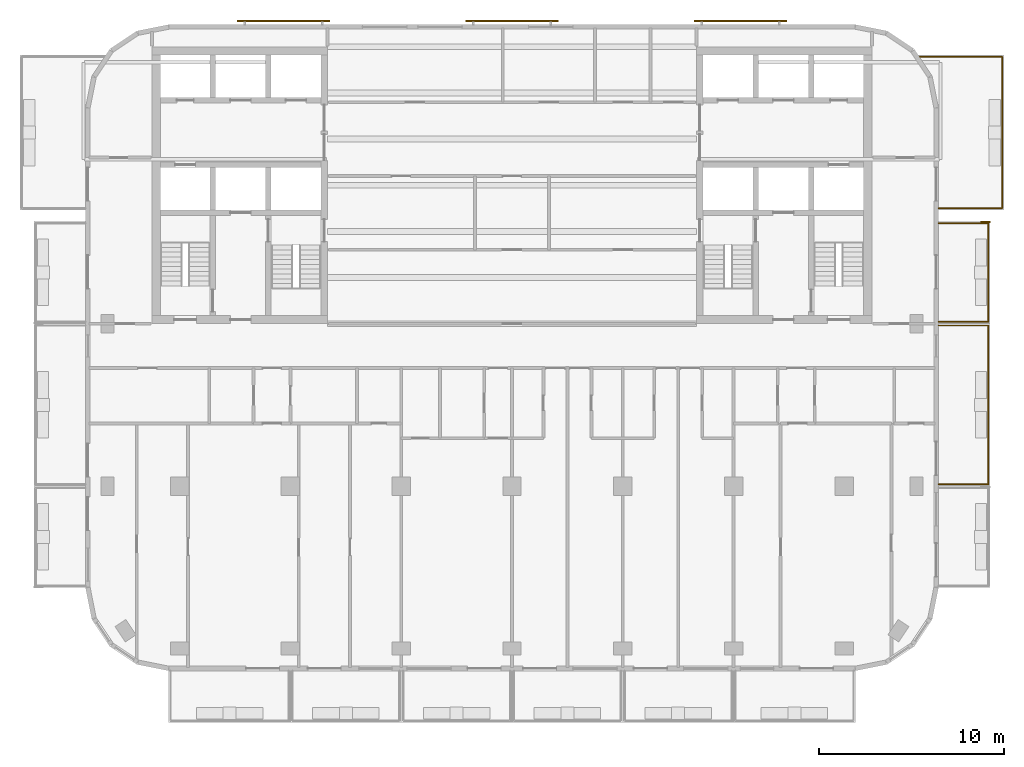
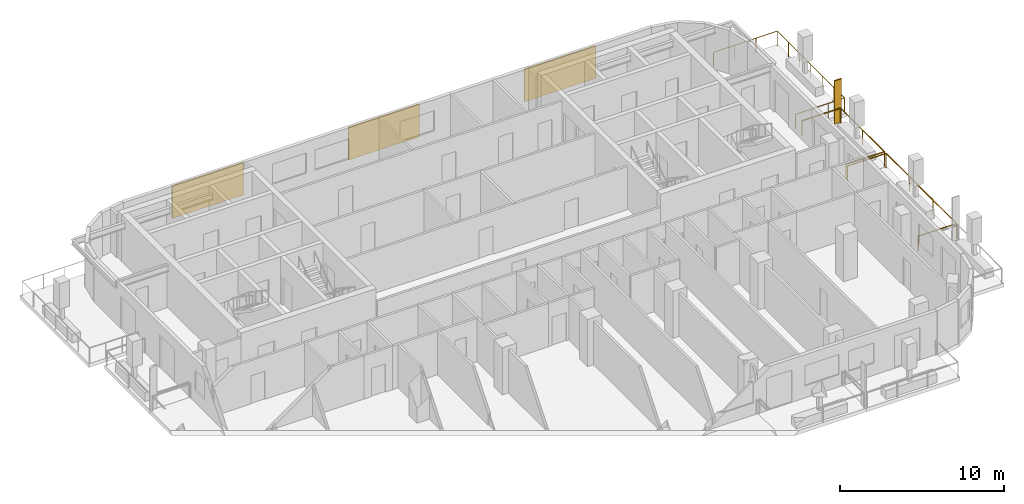
# One storey, part 10 of 11: 4 shading devices, 3 railings.
"""IFC4 building model written with IfcOpenShell, lengths in metres."""

from ifc_helpers import new_model, si_unit, direction, frame, origin, origin_2d, place, context, subcontext, project, spatial, rectangle, circle, extrude, material, layer, layer_set, type_object, element, save


model = new_model("IFC4")

# Units and contexts
model_context = context("Model", 3, precision=1e-05, world=origin(), true_north=direction((0.0, 1.0)))
body_context = subcontext(model_context, "Body", "Model", "MODEL_VIEW")
ifc_project = project(units=[si_unit("LENGTHUNIT", "METRE"), si_unit("AREAUNIT", "SQUARE_METRE"), si_unit("VOLUMEUNIT", "CUBIC_METRE"), si_unit("PLANEANGLEUNIT", "RADIAN"), si_unit("MASSUNIT", "GRAM", prefix="KILO")], contexts=[model_context])

# Site, building, storey
site_placement = place(None, origin())
site = spatial("IfcSite", under=ifc_project, at=site_placement, CompositionType="ELEMENT")
building_placement = place(site_placement, origin())
building = spatial("IfcBuilding", under=site, at=building_placement, Name="Torana Hotel and Residences", CompositionType="ELEMENT")
storey_placement = place(building_placement, frame((0.0, 0.0, 280.60009765625)))
storey = spatial("IfcBuildingStorey", under=building, at=storey_placement, Name="L74", CompositionType="ELEMENT", Elevation=280.60009765625)

# Shading device
ifc_material_1 = material(Name="Black powder coated aluminium", Category="aluminium")
ifc_layer_1 = layer(ifc_material_1, 0.080078125)
ifc_layer_set_1 = layer_set([ifc_layer_1], Name="FN1 VERTICAL FIN 500x80")
shading_device_type_1 = type_object("IfcShadingDeviceType", Name="FN1 VERTICAL FIN 500x80", PredefinedType="USERDEFINED", material=ifc_layer_set_1)
shading_device_placement = place(storey_placement, frame((25.64990234375, -9.489990234375, 0.0), z_axis=(0.0, 0.0, 1.0), x_axis=(0.0, -1.0, 0.0)))
element("IfcShadingDevice", 1, at=shading_device_placement, inside=storey, type_object=shading_device_type_1, Name="Fin 13", ObjectType="FIN", PredefinedType="USERDEFINED", context=body_context, shape_type="SweptSolid", body=[
    extrude(rectangle(XDim=0.080078125, YDim=0.5, at=origin_2d()), origin(), (0.0, 0.0, 1.0), 3.219970703125),
])

# Railings
ifc_material_2 = material(Name="Laminated glass balustrade with black handrail", Category="glass")
railing_type = type_object("IfcRailingType", Name="GR1 BALCONY GUARD 1100 GLASS", PredefinedType="GUARDRAIL", material=ifc_material_2)
railing_1_placement = place(storey_placement, frame((23.10009765625, -15.10009765625, 0.0)))
element("IfcRailing", 2, at=railing_1_placement, inside=storey, type_object=railing_type, Name="Balcony guard 12", PredefinedType="GUARDRAIL", context=body_context, shape_type="SweptSolid", body=[
    extrude(circle(Radius=0.02392578125, at=origin_2d()), frame((0.0, 0.0, 1.076171875), z_axis=(1.0, 0.0, 0.0), x_axis=(0.0, 1.0, 0.0)), (0.0, 0.0, 1.0), 2.699951171875),
    extrude(circle(Radius=0.02392578125, at=origin_2d()), frame((2.699951171875, 0.0, 1.076171875), z_axis=(0.0, -1.0, 0.0), x_axis=(1.0, 0.0, 0.0)), (0.0, 0.0, 1.0), 8.599853515625),
    extrude(circle(Radius=0.02392578125, at=origin_2d()), frame((2.699951171875, -8.599853515625, 1.076171875), z_axis=(-1.0, 0.0, 0.0), x_axis=(0.0, -1.0, 0.0)), (0.0, 0.0, 1.0), 2.699951171875),
    extrude(circle(Radius=0.02099609375, at=origin_2d()), origin(), (0.0, 0.0, 1.0), 1.052001953125),
    extrude(circle(Radius=0.02099609375, at=origin_2d()), frame((2.699951171875, 0.0, 0.0)), (0.0, 0.0, 1.0), 1.052001953125),
    extrude(circle(Radius=0.02099609375, at=origin_2d()), frame((2.699951171875, -2.86669921875, 0.0)), (0.0, 0.0, 1.0), 1.052001953125),
    extrude(circle(Radius=0.02099609375, at=origin_2d()), frame((2.699951171875, -5.733154296875, 0.0)), (0.0, 0.0, 1.0), 1.052001953125),
    extrude(circle(Radius=0.02099609375, at=origin_2d()), frame((2.699951171875, -8.599853515625, 0.0)), (0.0, 0.0, 1.0), 1.052001953125),
    extrude(circle(Radius=0.02099609375, at=origin_2d()), frame((0.0, -8.599853515625, 0.0)), (0.0, 0.0, 1.0), 1.052001953125),
])
railing_2_placement = place(storey_placement, frame((23.10009765625, -9.550048828125, 0.0)))
element("IfcRailing", 3, at=railing_2_placement, inside=storey, type_object=railing_type, Name="Balcony guard 13", PredefinedType="GUARDRAIL", context=body_context, shape_type="SweptSolid", body=[
    extrude(circle(Radius=0.02392578125, at=origin_2d()), frame((0.0, 0.0, 1.076171875), z_axis=(1.0, 0.0, 0.0), x_axis=(0.0, 1.0, 0.0)), (0.0, 0.0, 1.0), 2.699951171875),
    extrude(circle(Radius=0.02392578125, at=origin_2d()), frame((2.699951171875, 0.0, 1.076171875), z_axis=(0.0, -1.0, 0.0), x_axis=(1.0, 0.0, 0.0)), (0.0, 0.0, 1.0), 5.349853515625),
    extrude(circle(Radius=0.02392578125, at=origin_2d()), frame((2.699951171875, -5.349853515625, 1.076171875), z_axis=(-1.0, 0.0, 0.0), x_axis=(0.0, -1.0, 0.0)), (0.0, 0.0, 1.0), 2.699951171875),
    extrude(circle(Radius=0.02099609375, at=origin_2d()), origin(), (0.0, 0.0, 1.0), 1.052001953125),
    extrude(circle(Radius=0.02099609375, at=origin_2d()), frame((2.699951171875, 0.0, 0.0)), (0.0, 0.0, 1.0), 1.052001953125),
    extrude(circle(Radius=0.02099609375, at=origin_2d()), frame((2.699951171875, -2.6748046875, 0.0)), (0.0, 0.0, 1.0), 1.052001953125),
    extrude(circle(Radius=0.02099609375, at=origin_2d()), frame((2.699951171875, -5.349853515625, 0.0)), (0.0, 0.0, 1.0), 1.052001953125),
    extrude(circle(Radius=0.02099609375, at=origin_2d()), frame((0.0, -5.349853515625, 0.0)), (0.0, 0.0, 1.0), 1.052001953125),
])
railing_3_placement = place(storey_placement, frame((22.07080078125, -0.550048828125, 0.0)))
element("IfcRailing", 4, at=railing_3_placement, inside=storey, type_object=railing_type, Name="Balcony guard 14", PredefinedType="GUARDRAIL", context=body_context, shape_type="SweptSolid", body=[
    extrude(circle(Radius=0.02392578125, at=origin_2d()), frame((0.0, 0.0, 1.076171875), z_axis=(1.0, 0.0, 0.0), x_axis=(0.0, 1.0, 0.0)), (0.0, 0.0, 1.0), 4.479248046875),
    extrude(circle(Radius=0.02392578125, at=origin_2d()), frame((4.479248046875, 0.0, 1.076171875), z_axis=(0.0, -1.0, 0.0), x_axis=(1.0, 0.0, 0.0)), (0.0, 0.0, 1.0), 8.199951171875),
    extrude(circle(Radius=0.02392578125, at=origin_2d()), frame((4.479248046875, -8.199951171875, 1.076171875), z_axis=(-1.0, 0.0, 0.0), x_axis=(0.0, -1.0, 0.0)), (0.0, 0.0, 1.0), 3.449951171875),
    extrude(circle(Radius=0.02099609375, at=origin_2d()), origin(), (0.0, 0.0, 1.0), 1.052001953125),
    extrude(circle(Radius=0.02099609375, at=origin_2d()), frame((1.4931640625, 0.0, 0.0)), (0.0, 0.0, 1.0), 1.052001953125),
    extrude(circle(Radius=0.02099609375, at=origin_2d()), frame((2.986083984375, 0.0, 0.0)), (0.0, 0.0, 1.0), 1.052001953125),
    extrude(circle(Radius=0.02099609375, at=origin_2d()), frame((4.479248046875, 0.0, 0.0)), (0.0, 0.0, 1.0), 1.052001953125),
    extrude(circle(Radius=0.02099609375, at=origin_2d()), frame((4.479248046875, -1.36669921875, 0.0)), (0.0, 0.0, 1.0), 1.052001953125),
    extrude(circle(Radius=0.02099609375, at=origin_2d()), frame((4.479248046875, -2.7333984375, 0.0)), (0.0, 0.0, 1.0), 1.052001953125),
    extrude(circle(Radius=0.02099609375, at=origin_2d()), frame((4.479248046875, -4.10009765625, 0.0)), (0.0, 0.0, 1.0), 1.052001953125),
    extrude(circle(Radius=0.02099609375, at=origin_2d()), frame((4.479248046875, -5.466552734375, 0.0)), (0.0, 0.0, 1.0), 1.052001953125),
    extrude(circle(Radius=0.02099609375, at=origin_2d()), frame((4.479248046875, -6.833251953125, 0.0)), (0.0, 0.0, 1.0), 1.052001953125),
    extrude(circle(Radius=0.02099609375, at=origin_2d()), frame((4.479248046875, -8.199951171875, 0.0)), (0.0, 0.0, 1.0), 1.052001953125),
    extrude(circle(Radius=0.02099609375, at=origin_2d()), frame((3.329345703125, -8.199951171875, 0.0)), (0.0, 0.0, 1.0), 1.052001953125),
    extrude(circle(Radius=0.02099609375, at=origin_2d()), frame((2.17919921875, -8.199951171875, 0.0)), (0.0, 0.0, 1.0), 1.052001953125),
    extrude(circle(Radius=0.02099609375, at=origin_2d()), frame((1.029296875, -8.199951171875, 0.0)), (0.0, 0.0, 1.0), 1.052001953125),
])

# Shading devices
ifc_material_3 = material(Name="Concrete C40/50 precast", Category="concrete")
ifc_layer_2 = layer(ifc_material_3, 0.10009765625)
ifc_layer_set_2 = layer_set([ifc_layer_2], Name="SC1 PERFORATED BLOCK SCREEN PANEL 100")
shading_device_type_2 = type_object("IfcShadingDeviceType", Name="SC1 PERFORATED BLOCK SCREEN PANEL 100", PredefinedType="USERDEFINED", material=ifc_layer_set_2)
for number, where, z_axis, x_axis, name in (
    (5, (12.383544921875, 1.39990234375, 0.5), (0.0, 0.0, 1.0), (-1.0, 0.0, 0.0), "Perforated block screen L74"),
    (6, (0.0, 1.39990234375, 0.5), (0.0, 0.0, 1.0), (-1.0, 0.0, 0.0), "Perforated block screen L74"),
    (7, (-12.383544921875, 1.39990234375, 0.5), (0.0, 0.0, 1.0), (-1.0, 0.0, 0.0), "Perforated block screen L74"),
):
    element("IfcShadingDevice", number, at=place(storey_placement, frame(where, z_axis=z_axis, x_axis=x_axis)), inside=storey, type_object=shading_device_type_2, Name=name, ObjectType="SCREEN", PredefinedType="USERDEFINED", context=body_context, shape_type="SweptSolid", body=[
        extrude(rectangle(XDim=5.0, YDim=0.10009765625, at=origin_2d()), origin(), (0.0, 0.0, 1.0), 2.419921875),
    ])

save(model, "model.ifc")
